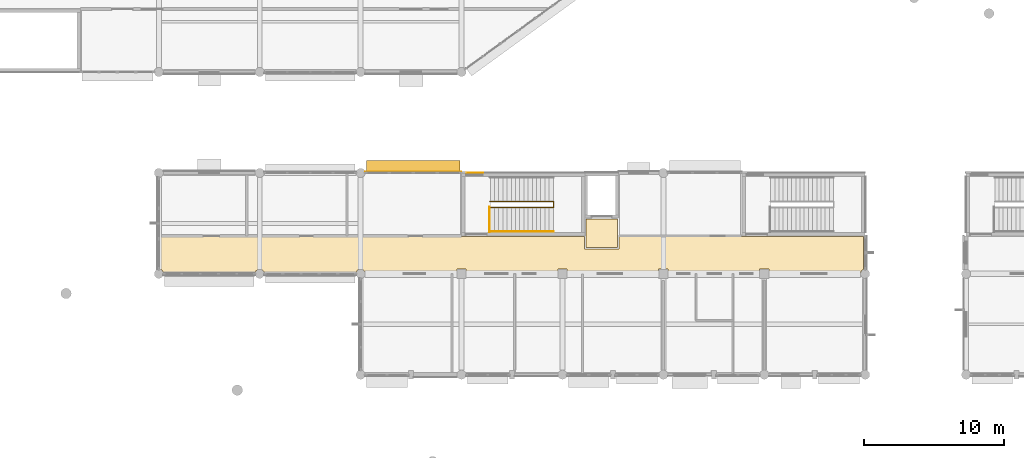
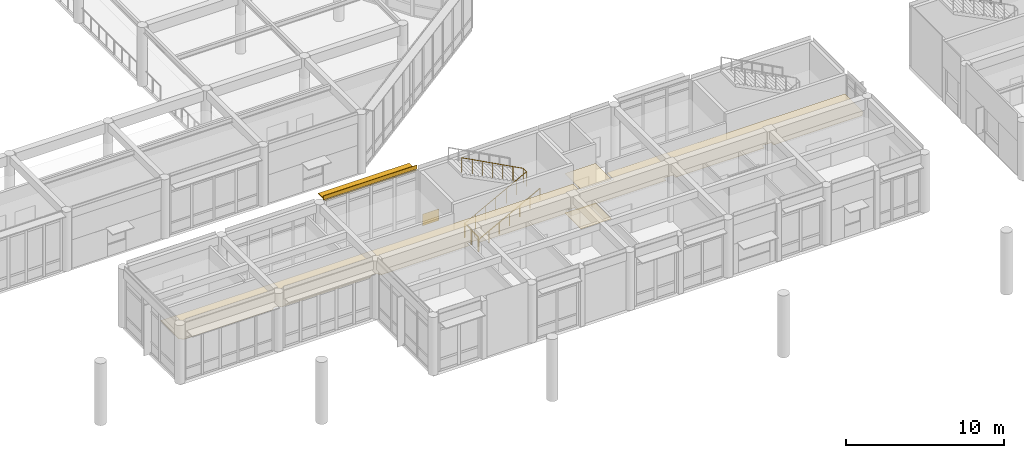
# One storey, part 65 of 92: 5 coverings, 3 railings, 1 shading device.
"""IFC4 building model written with IfcOpenShell, lengths in metres."""

from ifc_helpers import new_model, si_unit, direction, frame, origin, origin_2d, place, context, subcontext, project, spatial, polyline, rectangle, circle, outline, extrude, material, layer, layer_set, type_object, element, save


model = new_model("IFC4")

# Units and contexts
model_context = context("Model", 3, precision=1e-05, world=origin(), true_north=direction((0.0, 1.0)))
body_context = subcontext(model_context, "Body", "Model", "MODEL_VIEW")
ifc_project = project(units=[si_unit("LENGTHUNIT", "METRE"), si_unit("AREAUNIT", "SQUARE_METRE"), si_unit("VOLUMEUNIT", "CUBIC_METRE"), si_unit("PLANEANGLEUNIT", "RADIAN"), si_unit("MASSUNIT", "GRAM", prefix="KILO")], contexts=[model_context])

# Site, building, storey
site_placement = place(None, origin())
site = spatial("IfcSite", under=ifc_project, at=site_placement, CompositionType="ELEMENT")
building_placement = place(site_placement, origin())
building = spatial("IfcBuilding", under=site, at=building_placement, Name="Namkhue Oval Health Centre", CompositionType="ELEMENT")
storey_placement = place(building_placement, frame((0.0, 0.0, 4.800048828125)))
storey = spatial("IfcBuildingStorey", under=building, at=storey_placement, Name="L01", CompositionType="ELEMENT", Elevation=4.800048828125)

# Coverings
ifc_material_1 = material(Name="Acoustic mineral-fibre cleanroom ceiling", Category="gypsum")
ifc_layer_1 = layer(ifc_material_1, 0.02001953125)
ifc_layer_set_1 = layer_set([ifc_layer_1], Name="Acoustic mineral-fibre cleanroom ceiling")
covering_type_1 = type_object("IfcCoveringType", Name="ACOUSTIC CLEANROOM CEILING 20", PredefinedType="CEILING", material=ifc_layer_set_1)
covering_1_placement = place(storey_placement, frame((0.0, 0.0, 3.050048828125)))
element("IfcCovering", 1, at=covering_1_placement, inside=storey, type_object=covering_type_1, Name="Acoustic Ceiling L01-LL5 Lift Lobby LF-05", PredefinedType="CEILING", context=body_context, shape_type="SweptSolid", body=[
    extrude(outline(polyline([(66.47998046875, 23.47998046875), (66.47998046875, 25.52001953125), (68.719970703125, 25.52001953125), (68.719970703125, 23.47998046875), (66.47998046875, 23.47998046875)])), origin(), (0.0, 0.0, 1.0), 0.02001953125),
])
covering_2_placement = place(storey_placement, frame((0.0, 0.0, 3.050048828125)))
element("IfcCovering", 2, at=covering_2_placement, inside=storey, type_object=covering_type_1, Name="Acoustic Ceiling L01-V4-C1 V4 Clinical Corridor", PredefinedType="CEILING", context=body_context, shape_type="SweptSolid", body=[
    extrude(outline(polyline([(43.5078125, 21.72509765625), (43.489990234375, 21.767578125), (43.43701171875, 21.8369140625), (43.367431640625, 21.89013671875), (43.28662109375, 21.923583984375), (43.199951171875, 21.93505859375), (43.11328125, 21.923583984375), (43.032470703125, 21.89013671875), (42.963134765625, 21.8369140625), (42.909912109375, 21.767578125), (42.892333984375, 21.72509765625), (36.3076171875, 21.72509765625), (36.2900390625, 21.767578125), (36.23681640625, 21.8369140625), (36.16748046875, 21.89013671875), (36.125, 21.90771484375), (36.125, 24.260009765625), (66.360107421875, 24.260009765625), (66.360107421875, 23.39990234375), (66.363037109375, 23.384765625), (66.37158203125, 23.37158203125), (66.384765625, 23.363037109375), (66.39990234375, 23.360107421875), (68.800048828125, 23.360107421875), (68.815185546875, 23.363037109375), (68.833251953125, 23.377685546875), (68.840087890625, 23.39990234375), (68.840087890625, 24.260009765625), (86.27490234375, 24.260009765625), (86.27490234375, 21.90771484375), (86.232421875, 21.89013671875), (86.1630859375, 21.8369140625), (86.10986328125, 21.767578125), (86.076416015625, 21.686767578125), (86.0703125, 21.639892578125), (79.534912109375, 21.639892578125), (79.534912109375, 21.93505859375), (78.864990234375, 21.93505859375), (78.864990234375, 21.639892578125), (72.3349609375, 21.639892578125), (72.3349609375, 21.93505859375), (71.6650390625, 21.93505859375), (71.6650390625, 21.639892578125), (65.135009765625, 21.639892578125), (65.135009765625, 21.93505859375), (64.465087890625, 21.93505859375), (64.465087890625, 21.639892578125), (57.93505859375, 21.639892578125), (57.93505859375, 21.93505859375), (57.264892578125, 21.93505859375), (57.264892578125, 21.639892578125), (50.729736328125, 21.639892578125), (50.7236328125, 21.686767578125), (50.690185546875, 21.767578125), (50.636962890625, 21.8369140625), (50.5673828125, 21.89013671875), (50.48681640625, 21.923583984375), (50.39990234375, 21.93505859375), (50.313232421875, 21.923583984375), (50.232421875, 21.89013671875), (50.1630859375, 21.8369140625), (50.10986328125, 21.767578125), (50.09228515625, 21.72509765625), (43.5078125, 21.72509765625)])), origin(), (0.0, 0.0, 1.0), 0.02001953125),
])
ifc_material_2 = material(Name="Homogeneous anti-bacterial clinical vinyl flooring", Category="plastic")
ifc_layer_2 = layer(ifc_material_2, 0.014892578125)
ifc_layer_set_2 = layer_set([ifc_layer_2], Name="Homogeneous anti-bacterial clinical vinyl flooring")
covering_type_2 = type_object("IfcCoveringType", Name="CLINICAL ANTIBACTERIAL VINYL FLOORING 15", PredefinedType="FLOORING", material=ifc_layer_set_2)
covering_3_placement = place(storey_placement, origin())
element("IfcCovering", 3, at=covering_3_placement, inside=storey, type_object=covering_type_2, Name="Clinical Flooring L01-LL5 Lift Lobby LF-05", PredefinedType="FLOORING", context=body_context, shape_type="SweptSolid", body=[
    extrude(outline(polyline([(66.47998046875, 23.47998046875), (66.47998046875, 25.52001953125), (68.719970703125, 25.52001953125), (68.719970703125, 23.47998046875), (66.47998046875, 23.47998046875)])), origin(), (0.0, 0.0, 1.0), 0.014892578125),
])

# Railings
ifc_material_3 = material(Name="Brushed stainless steel 316L balustrade with laminated glass infill", Category="steel")
railing_type_1 = type_object("IfcRailingType", Name="INTERIOR BALUSTRADE GUARD 1150", PredefinedType="BALUSTRADE", material=ifc_material_3)
railing_1_placement = place(storey_placement, frame((59.60009765625, 24.590087890625, 0.0)))
element("IfcRailing", 4, at=railing_1_placement, inside=storey, type_object=railing_type_1, Name="Stair ST-07 L01 Landing Well Edge Guard", PredefinedType="BALUSTRADE", context=body_context, shape_type="SweptSolid", body=[
    extrude(circle(Radius=0.02392578125, at=origin_2d()), frame((0.0, 0.0, 1.1259765625), z_axis=(0.0, 1.0, 0.0), x_axis=(-1.0, 0.0, 0.0)), (0.0, 0.0, 1.0), 1.77001953125),
    extrude(circle(Radius=0.02099609375, at=origin_2d()), origin(), (0.0, 0.0, 1.0), 1.101806640625),
    extrude(circle(Radius=0.02099609375, at=origin_2d()), frame((0.0, 0.885009765625, 0.0)), (0.0, 0.0, 1.0), 1.101806640625),
    extrude(circle(Radius=0.02099609375, at=origin_2d()), frame((0.0, 1.77001953125, 0.0)), (0.0, 0.0, 1.0), 1.101806640625),
])
railing_2_placement = place(storey_placement, frame((59.64990234375, 26.340087890625, 0.0)))
element("IfcRailing", 5, at=railing_2_placement, inside=storey, type_object=railing_type_1, Name="Stair ST-07 L01 Inner Well Guard", PredefinedType="BALUSTRADE", context=body_context, shape_type="SweptSolid", body=[
    extrude(circle(Radius=0.02392578125, at=origin_2d()), frame((0.0, 0.0, 1.1259765625), z_axis=(0.882360891967, 0.0, 0.470573327259), x_axis=(0.0, 1.0, 0.0)), (0.0, 0.0, 1.0), 5.099853515625),
    extrude(circle(Radius=0.02392578125, at=origin_2d()), frame((4.5, 0.0, 3.52587890625), z_axis=(0.0, 1.0, 0.0), x_axis=(-1.0, 0.0, 0.0)), (0.0, 0.0, 1.0), 0.419921875),
    extrude(circle(Radius=0.02392578125, at=origin_2d()), frame((4.5, 0.419921875, 3.52587890625), z_axis=(-0.882341014787, 0.0, 0.470610596591), x_axis=(0.0, -1.0, 0.0)), (0.0, 0.0, 1.0), 5.10009765625),
    extrude(circle(Radius=0.02099609375, at=origin_2d()), origin(), (0.0, 0.0, 1.0), 1.101806640625),
    extrude(circle(Radius=0.02099609375, at=origin_2d()), frame((0.75, 0.0, 0.39990234375)), (0.0, 0.0, 1.0), 1.101806640625),
    extrude(circle(Radius=0.02099609375, at=origin_2d()), frame((1.5, 0.0, 0.800048828125)), (0.0, 0.0, 1.0), 1.101806640625),
    extrude(circle(Radius=0.02099609375, at=origin_2d()), frame((2.25, 0.0, 1.199951171875)), (0.0, 0.0, 1.0), 1.101806640625),
    extrude(circle(Radius=0.02099609375, at=origin_2d()), frame((3.0, 0.0, 1.599853515625)), (0.0, 0.0, 1.0), 1.101806640625),
    extrude(circle(Radius=0.02099609375, at=origin_2d()), frame((3.75, 0.0, 2.0)), (0.0, 0.0, 1.0), 1.101806640625),
    extrude(circle(Radius=0.02099609375, at=origin_2d()), frame((4.5, 0.0, 2.39990234375)), (0.0, 0.0, 1.0), 1.101806640625),
    extrude(circle(Radius=0.02099609375, at=origin_2d()), frame((4.5, 0.419921875, 2.39990234375)), (0.0, 0.0, 1.0), 1.101806640625),
    extrude(circle(Radius=0.02099609375, at=origin_2d()), frame((3.75, 0.419921875, 2.7998046875)), (0.0, 0.0, 1.0), 1.101806640625),
    extrude(circle(Radius=0.02099609375, at=origin_2d()), frame((3.0, 0.419921875, 3.199951171875)), (0.0, 0.0, 1.0), 1.101806640625),
    extrude(circle(Radius=0.02099609375, at=origin_2d()), frame((2.25, 0.419921875, 3.60009765625)), (0.0, 0.0, 1.0), 1.101806640625),
    extrude(circle(Radius=0.02099609375, at=origin_2d()), frame((1.5, 0.419921875, 4.0)), (0.0, 0.0, 1.0), 1.101806640625),
    extrude(circle(Radius=0.02099609375, at=origin_2d()), frame((0.75, 0.419921875, 4.39990234375)), (0.0, 0.0, 1.0), 1.101806640625),
    extrude(circle(Radius=0.02099609375, at=origin_2d()), frame((0.0, 0.419921875, 4.800048828125)), (0.0, 0.0, 1.0), 1.101806640625),
])
ifc_material_4 = material(Name="Brushed stainless steel 304 tubular handrail", Category="steel")
railing_type_2 = type_object("IfcRailingType", Name="INTERIOR STAIR HANDRAIL 900", PredefinedType="HANDRAIL", material=ifc_material_4)
railing_3_placement = place(storey_placement, frame((59.64990234375, 24.6201171875, 0.0)))
element("IfcRailing", 6, at=railing_3_placement, inside=storey, type_object=railing_type_2, Name="Stair ST-07 L01 Flight 1 Handrail", PredefinedType="HANDRAIL", context=body_context, shape_type="SweptSolid", body=[
    extrude(circle(Radius=0.02392578125, at=origin_2d()), frame((0.0, 0.0, 0.8759765625), z_axis=(0.882360891967, 0.0, 0.470573327259), x_axis=(0.0, 1.0, 0.0)), (0.0, 0.0, 1.0), 5.099853515625),
    extrude(circle(Radius=0.02099609375, at=origin_2d()), origin(), (0.0, 0.0, 1.0), 0.851806640625),
    extrude(circle(Radius=0.02099609375, at=origin_2d()), frame((0.75, 0.0, 0.39990234375)), (0.0, 0.0, 1.0), 0.851806640625),
    extrude(circle(Radius=0.02099609375, at=origin_2d()), frame((1.5, 0.0, 0.800048828125)), (0.0, 0.0, 1.0), 0.851806640625),
    extrude(circle(Radius=0.02099609375, at=origin_2d()), frame((2.25, 0.0, 1.199951171875)), (0.0, 0.0, 1.0), 0.851806640625),
    extrude(circle(Radius=0.02099609375, at=origin_2d()), frame((3.0, 0.0, 1.599853515625)), (0.0, 0.0, 1.0), 0.851806640625),
    extrude(circle(Radius=0.02099609375, at=origin_2d()), frame((3.75, 0.0, 2.0)), (0.0, 0.0, 1.0), 0.851806640625),
    extrude(circle(Radius=0.02099609375, at=origin_2d()), frame((4.5, 0.0, 2.39990234375)), (0.0, 0.0, 1.0), 0.851806640625),
])

# Shading device
ifc_material_5 = material(Name="Anodised aluminium EN AW-6063 T6", Category="aluminium")
ifc_layer_3 = layer(ifc_material_5, 0.06005859375)
ifc_layer_set_3 = layer_set([ifc_layer_3], Name="Anodised aluminium EN AW-6063 T6")
shading_device_type = type_object("IfcShadingDeviceType", Name="MONSOON SUN LOUVRE 900", PredefinedType="JALOUSIE", material=ifc_layer_set_3)
shading_device_placement = place(storey_placement, frame((54.158935546875, 29.25, 4.434814453125), z_axis=(0.0, 0.0, 1.0), x_axis=(-1.0, 0.0, 0.0)))
element("IfcShadingDevice", 7, at=shading_device_placement, inside=storey, type_object=shading_device_type, Name="Volume V4 L01 Horizontal Monsoon Sun Louvre 208", PredefinedType="JALOUSIE", context=body_context, shape_type="SweptSolid", body=[
    extrude(rectangle(XDim=6.677978515625, YDim=0.89990234375, at=origin_2d()), origin(), (0.0, 0.0, 1.0), 0.06005859375),
])

# Coverings
ifc_material_6 = material(Name="White glass-fibre reinforced concrete GRC rainscreen cladding", Category="concrete")
ifc_layer_4 = layer(ifc_material_6, 0.02490234375)
ifc_layer_set_4 = layer_set([ifc_layer_4], Name="White glass-fibre reinforced concrete GRC rainscreen cladding")
covering_type_3 = type_object("IfcCoveringType", Name="WHITE GRC RAINSCREEN CLADDING 25", PredefinedType="CLADDING", material=ifc_layer_set_4)
covering_4_placement = place(storey_placement, frame((54.158935546875, 28.888427734375, 4.489990234375), z_axis=(0.0, 0.0, 1.0), x_axis=(-1.0, 0.0, 0.0)))
element("IfcCovering", 8, at=covering_4_placement, inside=storey, type_object=covering_type_3, Name="Volume V4 L01 Curtain Wall Spandrel Cladding 154", PredefinedType="CLADDING", context=body_context, shape_type="SweptSolid", body=[
    extrude(rectangle(XDim=6.867919921875, YDim=0.02490234375, at=origin_2d()), origin(), (0.0, 0.0, 1.0), 0.31005859375),
])
covering_5_placement = place(storey_placement, frame((58.5400390625, 28.81201171875, 0.010009765625), z_axis=(0.0, 0.0, 1.0), x_axis=(-1.0, 0.0, 0.0)))
element("IfcCovering", 9, at=covering_5_placement, inside=storey, type_object=covering_type_3, Name="Core SC-07 L01 Core N White GRC Cladding 3", PredefinedType="CLADDING", context=body_context, shape_type="SweptSolid", body=[
    extrude(rectangle(XDim=1.199951171875, YDim=0.02490234375, at=origin_2d()), origin(), (0.0, 0.0, 1.0), 0.89501953125),
])

save(model, "model.ifc")
